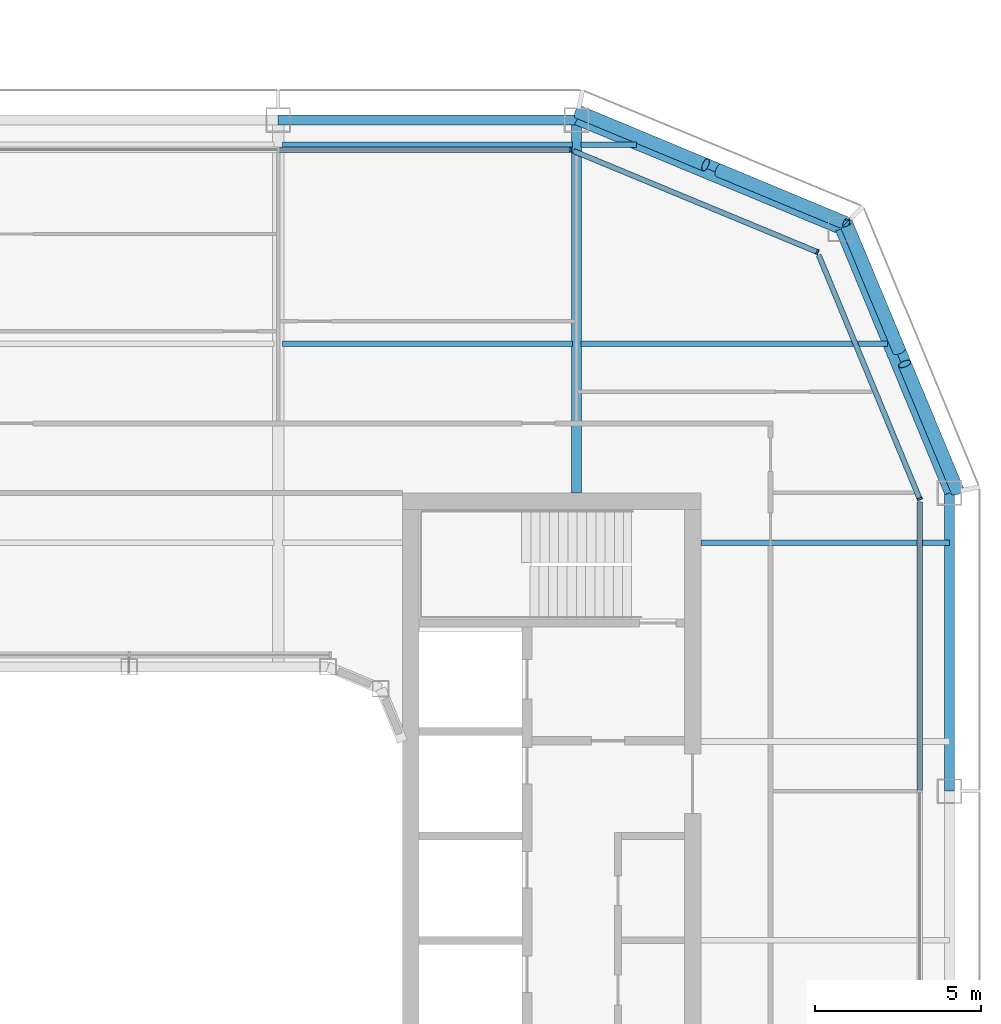
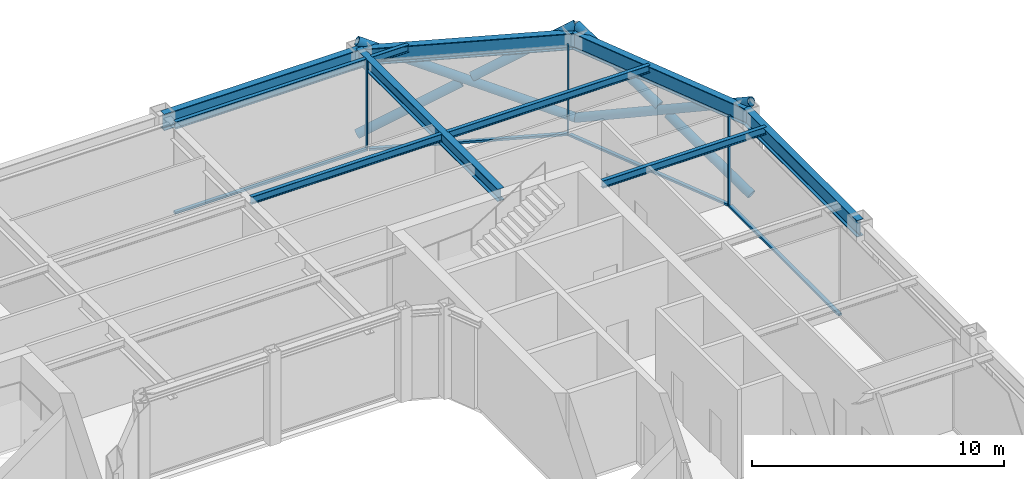
# One storey, part 9 of 21: 13 members, 10 beams, 4 elements without a shape of their own.
"""IFC4 building model written with IfcOpenShell, lengths in metres."""

from ifc_helpers import new_model, si_unit, direction, frame, origin, origin_2d, place, context, subcontext, project, spatial, rectangle, hollow_circle, i_section, extrude, material, layer, layer_set, material_profile, profile_set, type_object, element, aggregate, save


model = new_model("IFC4")

# Units and contexts
model_context = context("Model", 3, precision=1e-05, world=origin(), true_north=direction((0.0, 1.0)))
body_context = subcontext(model_context, "Body", "Model", "MODEL_VIEW")
ifc_project = project(units=[si_unit("LENGTHUNIT", "METRE"), si_unit("AREAUNIT", "SQUARE_METRE"), si_unit("VOLUMEUNIT", "CUBIC_METRE"), si_unit("PLANEANGLEUNIT", "RADIAN"), si_unit("MASSUNIT", "GRAM", prefix="KILO")], contexts=[model_context])

# Site, building, storey
site_placement = place(None, origin())
site = spatial("IfcSite", under=ifc_project, at=site_placement, CompositionType="ELEMENT")
building_placement = place(site_placement, origin())
building = spatial("IfcBuilding", under=site, at=building_placement, Name="Siwar Civic Tower", CompositionType="ELEMENT")
storey_placement = place(building_placement, frame((0.0, 0.0, 312.199951171875)))
storey = spatial("IfcBuildingStorey", under=building, at=storey_placement, Name="L67", CompositionType="ELEMENT", Elevation=312.199951171875)

# Curtain wall, member
ifc_material_1 = material(Name="Aluminium clad insulated panel", Category="aluminium")
ifc_layer_1 = layer(ifc_material_1, 0.159912109375)
ifc_layer_set_1 = layer_set([ifc_layer_1], Name="Aluminium clad insulated panel")
curtain_wall_type_1 = type_object("IfcCurtainWallType", Name="ENV-CW-DX", PredefinedType="NOTDEFINED", material=ifc_layer_set_1)
curtain_wall_1_placement = place(storey_placement, origin())
curtain_wall_1 = element("IfcCurtainWall", 1, at=curtain_wall_1_placement, inside=storey, type_object=curtain_wall_type_1, Name="Curtain wall D NE1", PredefinedType="NOTDEFINED")
ifc_material_2 = material(Name="Aluminium 6063-T6", Category="aluminium")
ifc_material_profile_1 = material_profile(ifc_material_2, rectangle(XDim=0.159912109375, YDim=0.06005859375, at=origin_2d()), Name="AL 160x60")
ifc_profile_set_1 = profile_set([ifc_material_profile_1], Name="Aluminium 6063-T6")
member_type_1 = type_object("IfcMemberType", Name="ENV-MULLION-D", PredefinedType="MULLION", material=ifc_profile_set_1)
member_1_placement = place(storey_placement, frame((23.85009765625, 13.321044921875, 0.0), z_axis=(0.0, 0.0, 1.0), x_axis=(-0.923879532511, -0.382683432365, 0.0)))
member_1 = element("IfcMember", 2, at=member_1_placement, type_object=member_type_1, Name="Mullion D NE1 1", PredefinedType="MULLION", context=body_context, shape_type="SweptSolid", body=[
    extrude(rectangle(XDim=0.159912109375, YDim=0.06005859375, at=origin_2d()), origin(), (0.0, 0.0, 1.0), 4.35009765625),
])

curtain_wall_2_placement = place(storey_placement, origin())
curtain_wall_2 = element("IfcCurtainWall", 3, at=curtain_wall_2_placement, inside=storey, type_object=curtain_wall_type_1, Name="Curtain wall D NE2", PredefinedType="NOTDEFINED")
member_2_placement = place(storey_placement, frame((20.76611328125, 20.76611328125, 0.0), z_axis=(0.0, 0.0, 1.0), x_axis=(-0.382683432365, -0.923879532511, 0.0)))
member_2 = element("IfcMember", 4, at=member_2_placement, type_object=member_type_1, Name="Mullion D NE2 1", PredefinedType="MULLION", context=body_context, shape_type="SweptSolid", body=[
    extrude(rectangle(XDim=0.159912109375, YDim=0.06005859375, at=origin_2d()), origin(), (0.0, 0.0, 1.0), 4.35009765625),
])

ifc_material_3 = material(Name="Aluminium and glass", Category="aluminium")
ifc_layer_2 = layer(ifc_material_3, 0.159912109375)
ifc_layer_set_2 = layer_set([ifc_layer_2], Name="Aluminium and glass")
curtain_wall_type_2 = type_object("IfcCurtainWallType", Name="ENV-CW-D", PredefinedType="NOTDEFINED", material=ifc_layer_set_2)
curtain_wall_3_placement = place(storey_placement, origin())
curtain_wall_3 = element("IfcCurtainWall", 5, at=curtain_wall_3_placement, inside=storey, type_object=curtain_wall_type_2, Name="Curtain wall D N", PredefinedType="NOTDEFINED")
member_3_placement = place(storey_placement, frame((13.321044921875, 23.85009765625, 0.0), z_axis=(0.0, 0.0, 1.0), x_axis=(0.0, -1.0, 0.0)))
member_3 = element("IfcMember", 6, at=member_3_placement, type_object=member_type_1, Name="Mullion D N 1", PredefinedType="MULLION", context=body_context, shape_type="SweptSolid", body=[
    extrude(rectangle(XDim=0.159912109375, YDim=0.06005859375, at=origin_2d()), origin(), (0.0, 0.0, 1.0), 4.35009765625),
])

curtain_wall_4_placement = place(storey_placement, origin())
curtain_wall_4 = element("IfcCurtainWall", 7, at=curtain_wall_4_placement, inside=storey, type_object=curtain_wall_type_2, Name="Curtain wall D E", PredefinedType="NOTDEFINED")
ifc_material_4 = material(Name="Aluminium 6063-T6", Category="aluminium")
ifc_material_profile_2 = material_profile(ifc_material_4, rectangle(XDim=0.159912109375, YDim=0.10009765625, at=origin_2d()), Name="AL 160x100")
ifc_profile_set_2 = profile_set([ifc_material_profile_2], Name="Aluminium 6063-T6")
member_type_2 = type_object("IfcMemberType", Name="ENV-TRANSOM-D", PredefinedType="USERDEFINED", material=ifc_profile_set_2)
member_4_placement = place(storey_placement, frame((23.85009765625, 4.530029296875, 0.050048828125), z_axis=(0.0, 1.0, 0.0), x_axis=(-1.0, 0.0, 0.0)))
member_4 = element("IfcMember", 8, at=member_4_placement, type_object=member_type_2, Name="Transom D E 3", ObjectType="TRANSOM", PredefinedType="USERDEFINED", context=body_context, shape_type="SweptSolid", body=[
    extrude(rectangle(XDim=0.159912109375, YDim=0.10009765625, at=origin_2d()), origin(), (0.0, 0.0, 1.0), 8.693115234375),
])
aggregate(curtain_wall_4, [member_4])

# Member
member_5_placement = place(storey_placement, frame((23.838623046875, 13.3486328125, 0.050048828125), z_axis=(-0.382699790424, 0.923872756612, 0.0), x_axis=(-0.923872756612, -0.382699790424, 0.0)))
member_5 = element("IfcMember", 9, at=member_5_placement, type_object=member_type_2, Name="Transom D NE1 1", ObjectType="TRANSOM", PredefinedType="USERDEFINED", context=body_context, shape_type="SweptSolid", body=[
    extrude(rectangle(XDim=0.159912109375, YDim=0.10009765625, at=origin_2d()), origin(), (0.0, 0.0, 1.0), 7.930908203125),
])

aggregate(curtain_wall_1, [member_1, member_5])

member_6_placement = place(storey_placement, frame((20.738525390625, 20.777587890625, 0.050048828125), z_axis=(-0.923883640343, 0.382673515031, 0.0), x_axis=(-0.382673515031, -0.923883640343, 0.0)))
member_6 = element("IfcMember", 10, at=member_6_placement, type_object=member_type_2, Name="Transom D NE2 1", ObjectType="TRANSOM", PredefinedType="USERDEFINED", context=body_context, shape_type="SweptSolid", body=[
    extrude(rectangle(XDim=0.159912109375, YDim=0.10009765625, at=origin_2d()), origin(), (0.0, 0.0, 1.0), 7.930908203125),
])

aggregate(curtain_wall_2, [member_2, member_6])

member_7_placement = place(storey_placement, frame((13.291015625, 23.85009765625, 0.050048828125), z_axis=(-1.0, 0.0, 0.0), x_axis=(0.0, -1.0, 0.0)))
member_7 = element("IfcMember", 11, at=member_7_placement, type_object=member_type_2, Name="Transom D N 1", ObjectType="TRANSOM", PredefinedType="USERDEFINED", context=body_context, shape_type="SweptSolid", body=[
    extrude(rectangle(XDim=0.159912109375, YDim=0.10009765625, at=origin_2d()), origin(), (0.0, 0.0, 1.0), 8.760986328125),
])

aggregate(curtain_wall_3, [member_3, member_7])

# Members
ifc_material_5 = material(Name="Steel S355", Category="steel")
ifc_material_profile_3 = material_profile(ifc_material_5, hollow_circle(Radius=0.203125, WallThickness=0.01611328125, at=origin_2d()), Name="CHS406.4x16")
ifc_profile_set_3 = profile_set([ifc_material_profile_3], Name="Steel S355")
member_type_3 = type_object("IfcMemberType", Name="STR-BR-CHS406.4x16", PredefinedType="BRACE", material=ifc_profile_set_3)
member_8_placement = place(storey_placement, frame((21.6318359375, 21.6318359375, 0.0), z_axis=(-0.821142553604, 0.341671493852, 0.457149315816), x_axis=(-0.384163874976, -0.923264922524, 0.0)))
element("IfcMember", 12, at=member_8_placement, inside=storey, type_object=member_type_3, Name="L67/brc/DNE1-6-0-1", PredefinedType="BRACE", context=body_context, shape_type="SweptSolid", body=[
    extrude(hollow_circle(Radius=0.203125, WallThickness=0.01611328125, at=origin_2d()), origin(), (0.0, 0.0, 1.0), 9.843505859375),
])
for number, where, z_axis, x_axis, name in (
    (13, (13.548828125, 24.9951171875, 0.0), (0.821130093572, -0.341659024948, 0.45718101459), (0.384156893273, 0.923267827529, 0.0), "L67/brc/DNE1-6-0-2"),
    (14, (17.791259765625, 23.229736328125, 2.362060546875), (0.821166691915, -0.341652533125, 0.457120127208), (0.38413607648, 0.923276488787, 0.0), "L67/brc/DNE1-6-0-3"),
):
    element("IfcMember", number, at=place(storey_placement, frame(where, z_axis=z_axis, x_axis=x_axis)), inside=storey, type_object=member_type_3, Name=name, PredefinedType="BRACE", context=body_context, shape_type="SweptSolid", body=[
        extrude(hollow_circle(Radius=0.203125, WallThickness=0.01611328125, at=origin_2d()), origin(), (0.0, 0.0, 1.0), 4.677001953125),
    ])
member_9_placement = place(storey_placement, frame((21.6318359375, 21.6318359375, 0.0), z_axis=(0.341671493852, -0.821142553604, 0.457149315816), x_axis=(0.923264922524, 0.384163874976, 0.0)))
element("IfcMember", 15, at=member_9_placement, inside=storey, type_object=member_type_3, Name="L67/brc/DNE1-6-0-0", PredefinedType="BRACE", context=body_context, shape_type="SweptSolid", body=[
    extrude(hollow_circle(Radius=0.203125, WallThickness=0.01611328125, at=origin_2d()), origin(), (0.0, 0.0, 1.0), 9.843505859375),
])
for number, where, z_axis, x_axis, name in (
    (16, (24.9951171875, 13.548828125, 0.0), (-0.341659024948, 0.821130093572, 0.45718101459), (-0.923267827529, -0.384156893273, 0.0), "L67/brc/DNE1-6-0-4"),
    (17, (23.229736328125, 17.791259765625, 2.362060546875), (-0.341652533125, 0.821166691915, 0.457120127208), (-0.923276488787, -0.38413607648, 0.0), "L67/brc/DNE1-6-0-5"),
):
    element("IfcMember", number, at=place(storey_placement, frame(where, z_axis=z_axis, x_axis=x_axis)), inside=storey, type_object=member_type_3, Name=name, PredefinedType="BRACE", context=body_context, shape_type="SweptSolid", body=[
        extrude(hollow_circle(Radius=0.203125, WallThickness=0.01611328125, at=origin_2d()), origin(), (0.0, 0.0, 1.0), 4.677001953125),
    ])

# Beams
ifc_material_6 = material(Name="Steel S355", Category="steel")
ifc_material_profile_4 = material_profile(ifc_material_6, i_section(OverallWidth=0.169921875, OverallDepth=0.360107421875, WebThickness=0.008056640625, FlangeThickness=0.0126953125, FilletRadius=0.01806640625, at=origin_2d()), Name="IPE360")
ifc_profile_set_4 = profile_set([ifc_material_profile_4], Name="Steel S355")
beam_type_1 = type_object("IfcBeamType", Name="STR-FB-IPE360", PredefinedType="JOIST", material=ifc_profile_set_4)
beam_1_placement = place(storey_placement, frame((17.25, 12.0, 4.170166015625), z_axis=(1.0, 0.0, 0.0), x_axis=(0.0, 1.0, 0.0)))
element("IfcBeam", 18, at=beam_1_placement, inside=storey, type_object=beam_type_1, Name="L67/bm/F026", PredefinedType="JOIST", context=body_context, shape_type="SweptSolid", body=[
    extrude(i_section(OverallWidth=0.169921875, OverallDepth=0.360107421875, WebThickness=0.008056640625, FlangeThickness=0.0126953125, FilletRadius=0.01806640625, at=origin_2d()), origin(), (0.0, 0.0, 1.0), 7.5),
])
beam_2_placement = place(storey_placement, frame((4.6298828125, 18.0, 4.170166015625), z_axis=(1.0, 0.0, 0.0), x_axis=(0.0, 1.0, 0.0)))
element("IfcBeam", 19, at=beam_2_placement, inside=storey, type_object=beam_type_1, Name="L67/bm/F030", PredefinedType="JOIST", context=body_context, shape_type="SweptSolid", body=[
    extrude(i_section(OverallWidth=0.169921875, OverallDepth=0.360107421875, WebThickness=0.008056640625, FlangeThickness=0.0126953125, FilletRadius=0.01806640625, at=origin_2d()), origin(), (0.0, 0.0, 1.0), 8.740234375),
])
beam_3_placement = place(storey_placement, frame((13.6298828125, 18.0, 4.170166015625), z_axis=(1.0, 0.0, 0.0), x_axis=(0.0, 1.0, 0.0)))
element("IfcBeam", 20, at=beam_3_placement, inside=storey, type_object=beam_type_1, Name="L67/bm/F031", PredefinedType="JOIST", context=body_context, shape_type="SweptSolid", body=[
    extrude(i_section(OverallWidth=0.169921875, OverallDepth=0.360107421875, WebThickness=0.008056640625, FlangeThickness=0.0126953125, FilletRadius=0.01806640625, at=origin_2d()), origin(), (0.0, 0.0, 1.0), 9.256103515625),
])
beam_4_placement = place(storey_placement, frame((4.6298828125, 24.0, 4.170166015625), z_axis=(1.0, 0.0, 0.0), x_axis=(0.0, 1.0, 0.0)))
element("IfcBeam", 21, at=beam_4_placement, inside=storey, type_object=beam_type_1, Name="L67/bm/F035", PredefinedType="JOIST", context=body_context, shape_type="SweptSolid", body=[
    extrude(i_section(OverallWidth=0.169921875, OverallDepth=0.360107421875, WebThickness=0.008056640625, FlangeThickness=0.0126953125, FilletRadius=0.01806640625, at=origin_2d()), origin(), (0.0, 0.0, 1.0), 8.740234375),
])
beam_5_placement = place(storey_placement, frame((13.6298828125, 24.0, 4.170166015625), z_axis=(1.0, 0.0, 0.0), x_axis=(0.0, 1.0, 0.0)))
element("IfcBeam", 22, at=beam_5_placement, inside=storey, type_object=beam_type_1, Name="L67/bm/F036", PredefinedType="JOIST", context=body_context, shape_type="SweptSolid", body=[
    extrude(i_section(OverallWidth=0.169921875, OverallDepth=0.360107421875, WebThickness=0.008056640625, FlangeThickness=0.0126953125, FilletRadius=0.01806640625, at=origin_2d()), origin(), (0.0, 0.0, 1.0), 1.6806640625),
])
ifc_material_7 = material(Name="Steel S355", Category="steel")
ifc_material_profile_5 = material_profile(ifc_material_7, i_section(OverallWidth=0.300048828125, OverallDepth=0.60009765625, WebThickness=0.015380859375, FlangeThickness=0.030029296875, FilletRadius=0.027099609375, at=origin_2d()), Name="HEB600")
ifc_profile_set_5 = profile_set([ifc_material_profile_5], Name="Steel S355")
beam_type_2 = type_object("IfcBeamType", Name="STR-PG-HEB600", PredefinedType="BEAM", material=ifc_profile_set_5)
beam_6_placement = place(storey_placement, frame((13.5, 13.5, 4.050048828125), z_axis=(0.0, 1.0, 0.0), x_axis=(-1.0, 0.0, 0.0)))
element("IfcBeam", 23, at=beam_6_placement, inside=storey, type_object=beam_type_2, Name="L67/bm/G08", PredefinedType="BEAM", context=body_context, shape_type="SweptSolid", body=[
    extrude(i_section(OverallWidth=0.300048828125, OverallDepth=0.60009765625, WebThickness=0.015380859375, FlangeThickness=0.030029296875, FilletRadius=0.027099609375, at=origin_2d()), origin(), (0.0, 0.0, 1.0), 11.25),
])
ifc_material_8 = material(Name="Steel S355", Category="steel")
ifc_material_profile_6 = material_profile(ifc_material_8, i_section(OverallWidth=0.300048828125, OverallDepth=0.800048828125, WebThickness=0.017578125, FlangeThickness=0.032958984375, FilletRadius=0.030029296875, at=origin_2d()), Name="HEB800")
ifc_profile_set_6 = profile_set([ifc_material_profile_6], Name="Steel S355")
beam_type_3 = type_object("IfcBeamType", Name="STR-SB-HEB800", PredefinedType="BEAM", material=ifc_profile_set_6)
beam_7_placement = place(storey_placement, frame((24.75, 4.5, 3.949951171875), z_axis=(0.0, 1.0, 0.0), x_axis=(-1.0, 0.0, 0.0)))
element("IfcBeam", 24, at=beam_7_placement, inside=storey, type_object=beam_type_3, Name="L67/bm/SE-2", PredefinedType="BEAM", context=body_context, shape_type="SweptSolid", body=[
    extrude(i_section(OverallWidth=0.300048828125, OverallDepth=0.800048828125, WebThickness=0.017578125, FlangeThickness=0.032958984375, FilletRadius=0.030029296875, at=origin_2d()), origin(), (0.0, 0.0, 1.0), 9.0),
])
for number, where, z_axis, x_axis, name in (
    (25, (24.75, 13.5, 3.949951171875), (-0.382699877515, 0.923872720536, 0.0), (-0.923872720536, -0.382699877515, 0.0), "L67/bm/SNE1-0"),
    (26, (21.454833984375, 21.454833984375, 3.949951171875), (-0.923872720536, 0.382699877515, 0.0), (-0.382699877515, -0.923872720536, 0.0), "L67/bm/SNE2-0"),
):
    element("IfcBeam", number, at=place(storey_placement, frame(where, z_axis=z_axis, x_axis=x_axis)), inside=storey, type_object=beam_type_3, Name=name, PredefinedType="BEAM", context=body_context, shape_type="SweptSolid", body=[
        extrude(i_section(OverallWidth=0.300048828125, OverallDepth=0.800048828125, WebThickness=0.017578125, FlangeThickness=0.032958984375, FilletRadius=0.030029296875, at=origin_2d()), origin(), (0.0, 0.0, 1.0), 8.6103515625),
    ])
beam_8_placement = place(storey_placement, frame((13.5, 24.75, 3.949951171875), z_axis=(-1.0, 0.0, 0.0), x_axis=(0.0, -1.0, 0.0)))
element("IfcBeam", 27, at=beam_8_placement, inside=storey, type_object=beam_type_3, Name="L67/bm/SN-0", PredefinedType="BEAM", context=body_context, shape_type="SweptSolid", body=[
    extrude(i_section(OverallWidth=0.300048828125, OverallDepth=0.800048828125, WebThickness=0.017578125, FlangeThickness=0.032958984375, FilletRadius=0.030029296875, at=origin_2d()), origin(), (0.0, 0.0, 1.0), 9.0),
])

save(model, "model.ifc")
